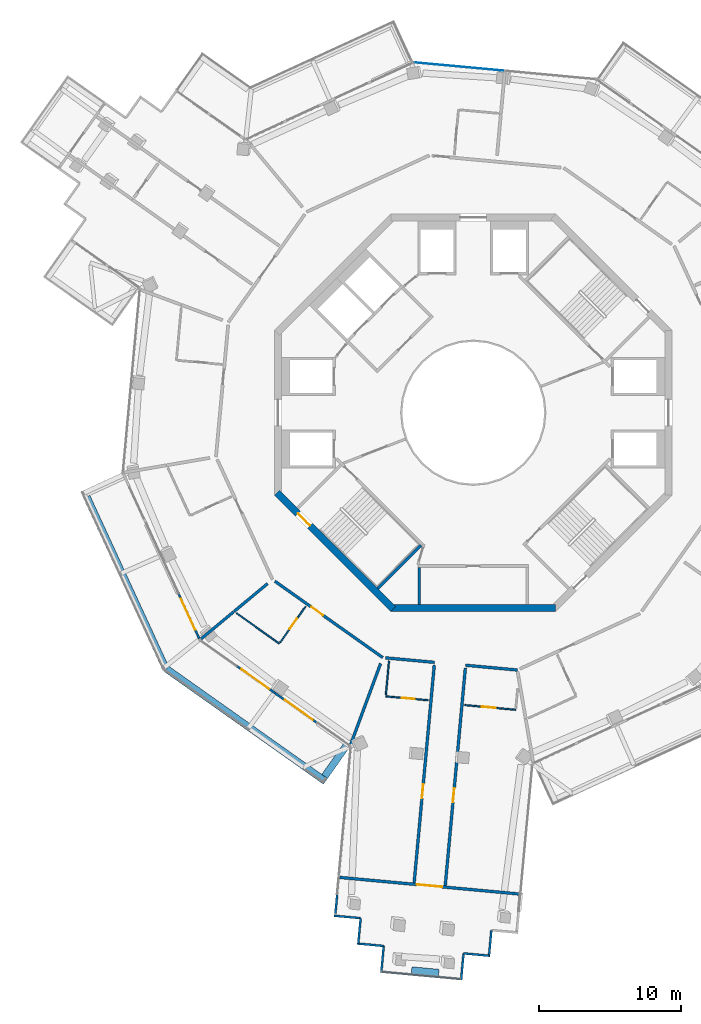
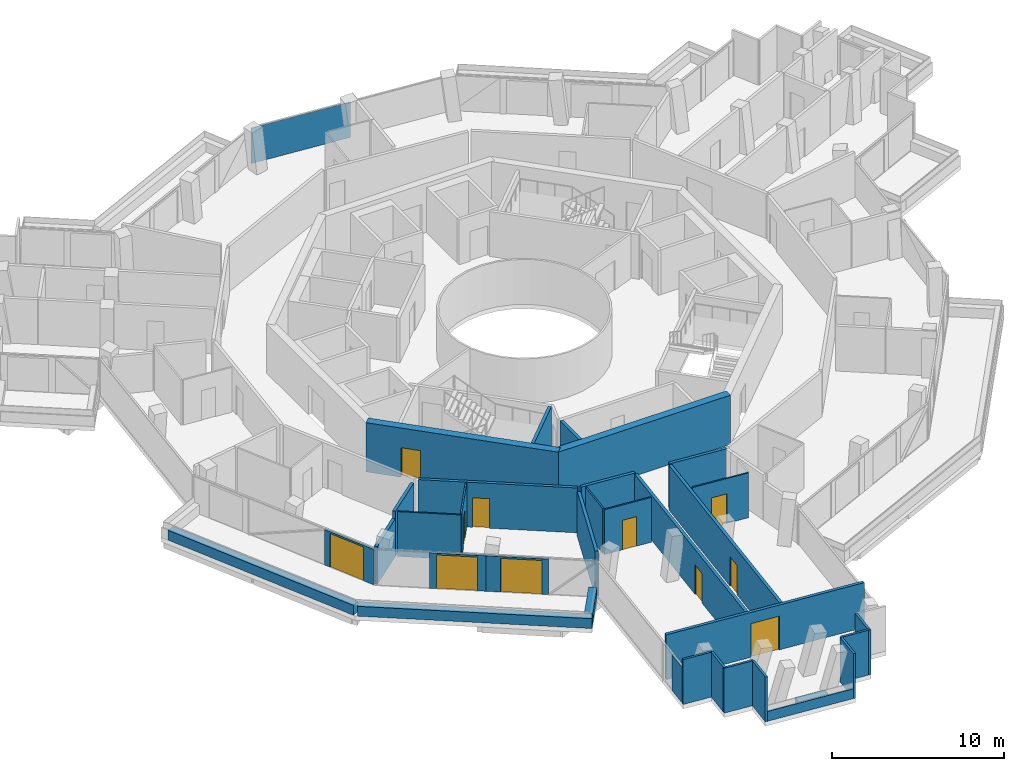
# One storey, part 15 of 23: 34 walls, 11 doors, 1 plate, 11 openings, 1 element without a shape of its own.
"""IFC4 building model written with IfcOpenShell, lengths in metres."""

from ifc_helpers import new_model, si_unit, direction, frame, frame_2d, origin, origin_2d, place, context, subcontext, project, spatial, rectangle, extrude, material, layer, layer_set, type_object, element, fill, aggregate, save


model = new_model("IFC4")

# Units and contexts
model_context = context("Model", 3, precision=1e-05, world=origin(), true_north=direction((0.0, 1.0)))
body_context = subcontext(model_context, "Body", "Model", "MODEL_VIEW")
ifc_project = project(units=[si_unit("LENGTHUNIT", "METRE"), si_unit("AREAUNIT", "SQUARE_METRE"), si_unit("VOLUMEUNIT", "CUBIC_METRE"), si_unit("PLANEANGLEUNIT", "RADIAN"), si_unit("MASSUNIT", "GRAM", prefix="KILO")], contexts=[model_context])

# Site, building, storey
site_placement = place(None, origin())
site = spatial("IfcSite", under=ifc_project, at=site_placement, CompositionType="ELEMENT")
building_placement = place(site_placement, origin())
building = spatial("IfcBuilding", under=site, at=building_placement, Name="Verdalira Terraces Hotel", CompositionType="ELEMENT")
storey_placement = place(building_placement, frame((0.0, 0.0, 256.0)))
storey = spatial("IfcBuildingStorey", under=building, at=storey_placement, Name="L63", CompositionType="ELEMENT", Elevation=256.0)

# Curtain wall, plate
ifc_material_1 = material(Name="Clear glass", Category="glass")
ifc_layer_1 = layer(ifc_material_1, 0.14990234375)
ifc_layer_set_1 = layer_set([ifc_layer_1], Name="CW1 curtain wall")
curtain_wall_type = type_object("IfcCurtainWallType", Name="CW1 curtain wall", PredefinedType="NOTDEFINED", material=ifc_layer_set_1)
curtain_wall_placement = place(storey_placement, origin())
curtain_wall = element("IfcCurtainWall", 1, at=curtain_wall_placement, inside=storey, type_object=curtain_wall_type, Name="CW1 curtain wall L63 edge 40", PredefinedType="NOTDEFINED")
ifc_material_2 = material(Name="Clear glass", Category="glass")
ifc_layer_2 = layer(ifc_material_2, 0.028076171875)
ifc_layer_set_2 = layer_set([ifc_layer_2], Name="CW1 glass unit 28")
plate_type = type_object("IfcPlateType", Name="CW1 glass unit 28", PredefinedType="CURTAIN_PANEL", material=ifc_layer_set_2)
plate_placement = place(storey_placement, frame((-0.97583, 24.376465, 0.0), z_axis=(0.0, 0.0, 1.0), x_axis=(-0.995756881, 0.092023008, 0.0)))
plate = element("IfcPlate", 2, at=plate_placement, type_object=plate_type, Name="CW1 glass unit", PredefinedType="CURTAIN_PANEL", context=body_context, shape_type="SweptSolid", body=[
    extrude(rectangle(XDim=6.369873, YDim=0.028076, at=origin_2d()), origin(), (0.0, 0.0, 1.0), 2.524902),
])
aggregate(curtain_wall, [plate])

# Walls
ifc_material_3 = material(Name="Concrete C40", Category="concrete")
ifc_layer_3 = layer(ifc_material_3, 0.5)
ifc_layer_set_3 = layer_set([ifc_layer_3], Name="Balcony planter trough with tree")
wall_type_1 = type_object("IfcWallType", Name="Balcony planter trough with tree", PredefinedType="SOLIDWALL", material=ifc_layer_set_3)
wall_1_placement = place(storey_placement, frame((-27.224121, -5.927979, 0.0), z_axis=(0.0, 0.0, 1.0), x_axis=(0.418179878, -0.908364238, 0.0)))
element("IfcWall", 3, at=wall_1_placement, inside=storey, type_object=wall_type_1, Name="Balcony planter", PredefinedType="SOLIDWALL", context=body_context, shape_type="SweptSolid", body=[
    extrude(rectangle(XDim=13.223389, YDim=0.5, at=frame_2d((6.611816, 0.0))), origin(), (0.0, 0.0, 1.0), 0.699951),
])
wall_2_placement = place(storey_placement, frame((-21.611572, -18.039062, 0.0), z_axis=(0.0, 0.0, 1.0), x_axis=(0.816337283, -0.577575484, 0.0)))
element("IfcWall", 4, at=wall_2_placement, inside=storey, type_object=wall_type_1, Name="Balcony planter", PredefinedType="SOLIDWALL", context=body_context, shape_type="SweptSolid", body=[
    extrude(rectangle(XDim=13.723389, YDim=0.5, at=frame_2d((6.861816, 0.0))), origin(), (0.0, 0.0, 1.0), 0.699951),
])
wall_3_placement = place(storey_placement, frame((-10.468262, -25.616943, 0.0), z_axis=(0.0, 0.0, 1.0), x_axis=(0.577552948, 0.816353227, 0.0)))
element("IfcWall", 5, at=wall_3_placement, inside=storey, type_object=wall_type_1, Name="Balcony planter", PredefinedType="SOLIDWALL", context=body_context, shape_type="SweptSolid", body=[
    extrude(rectangle(XDim=2.698975, YDim=0.5, at=frame_2d((1.349609, 0.0))), origin(), (0.0, 0.0, 1.0), 0.699951),
])
ifc_material_4 = material(Name="Moisture-resistant gypsum board partition")
ifc_layer_4 = layer(ifc_material_4, 0.10009765625)
ifc_layer_set_4 = layer_set([ifc_layer_4], Name="Bathroom partition 100 mm")
wall_type_2 = type_object("IfcWallType", Name="Bathroom partition 100 mm", PredefinedType="PARTITIONING", material=ifc_layer_set_4)
wall_4_placement = place(storey_placement, frame((-13.656006, -16.256836, 0.0), z_axis=(0.0, 0.0, 1.0), x_axis=(-0.816326196, 0.577591155, 0.0)))
element("IfcWall", 6, at=wall_4_placement, inside=storey, type_object=wall_type_2, Name="Bathroom partition", PredefinedType="PARTITIONING", context=body_context, shape_type="SweptSolid", body=[
    extrude(rectangle(XDim=3.704102, YDim=0.100098, at=frame_2d((1.852051, 0.0))), origin(), (0.0, 0.0, 1.0), 3.189941),
])

# Wall, opening, door
wall_5_placement = place(storey_placement, frame((-13.598145, -16.175293, 0.0), z_axis=(0.0, 0.0, 1.0), x_axis=(0.577567137, 0.816343189, 0.0)))
wall_5 = element("IfcWall", 7, at=wall_5_placement, inside=storey, type_object=wall_type_2, Name="Bathroom partition", PredefinedType="PARTITIONING", context=body_context, shape_type="SweptSolid", body=[
    extrude(rectangle(XDim=3.100098, YDim=0.100098, at=frame_2d((1.550049, 0.0))), origin(), (0.0, 0.0, 1.0), 3.189941),
])
opening_1_placement = place(wall_5_placement, frame((1.149902, 0.0, 0.0)))
opening_1 = element("IfcOpeningElement", 8, at=opening_1_placement, cuts=wall_5, Name="Opening L63-110", PredefinedType="OPENING", context=body_context, shape_type="SweptSolid", body=[
    extrude(rectangle(XDim=0.899902, YDim=2.100098, at=frame_2d((0.449951, 1.050049))), frame((0.0, 0.060059, 0.0), z_axis=(0.0, -1.0, 0.0), x_axis=(1.0, 0.0, 0.0)), (0.0, 0.0, 1.0), 0.120117),
])
ifc_material_5 = material(Name="Timber door", Category="wood")
door_type_1 = type_object("IfcDoorType", Name="Bathroom door 900 x 2100", OperationType="NOTDEFINED", PredefinedType="DOOR", material=ifc_material_5)
door_1_placement = place(opening_1_placement, origin())
door_1 = element("IfcDoor", 9, at=door_1_placement, inside=storey, type_object=door_type_1, Name="Bathroom door 6304", OperationType="SINGLE_SWING_LEFT", OverallHeight=2.10009765625, OverallWidth=0.89990234375, PredefinedType="DOOR", context=body_context, shape_type="SweptSolid", body=[
    extrude(rectangle(XDim=0.899902, YDim=2.100098, at=frame_2d((0.449951, 1.050049))), frame((0.0, 0.024902, 0.0), z_axis=(0.0, -1.0, 0.0), x_axis=(1.0, 0.0, 0.0)), (0.0, 0.0, 1.0), 0.050049),
])
fill(opening_1, door_1)

# Wall
wall_6_placement = place(storey_placement, frame((-6.155273, -19.876221, 0.0), z_axis=(0.0, 0.0, 1.0), x_axis=(0.09205813, 0.995753634, 0.0)))
element("IfcWall", 10, at=wall_6_placement, inside=storey, type_object=wall_type_2, Name="Bathroom partition", PredefinedType="PARTITIONING", context=body_context, shape_type="SweptSolid", body=[
    extrude(rectangle(XDim=2.400146, YDim=0.100098, at=frame_2d((1.200195, 0.0))), origin(), (0.0, 0.0, 1.0), 3.189941),
])

# Wall, opening, door
wall_7_placement = place(storey_placement, frame((-6.164307, -19.97583, 0.0), z_axis=(0.0, 0.0, 1.0), x_axis=(0.995755327, -0.092039823, 0.0)))
wall_7 = element("IfcWall", 11, at=wall_7_placement, inside=storey, type_object=wall_type_2, Name="Bathroom partition", PredefinedType="PARTITIONING", context=body_context, shape_type="SweptSolid", body=[
    extrude(rectangle(XDim=3.0, YDim=0.100098, at=frame_2d((1.5, 0.0))), origin(), (0.0, 0.0, 1.0), 3.189941),
])
opening_2_placement = place(wall_7_placement, frame((1.149902, 0.0, 0.0)))
opening_2 = element("IfcOpeningElement", 12, at=opening_2_placement, cuts=wall_7, Name="Opening L63-112", PredefinedType="OPENING", context=body_context, shape_type="SweptSolid", body=[
    extrude(rectangle(XDim=0.899902, YDim=2.100098, at=frame_2d((0.449951, 1.050049))), frame((0.0, 0.060059, 0.0), z_axis=(0.0, -1.0, 0.0), x_axis=(1.0, 0.0, 0.0)), (0.0, 0.0, 1.0), 0.120117),
])
door_2_placement = place(opening_2_placement, origin())
door_2 = element("IfcDoor", 13, at=door_2_placement, inside=storey, type_object=door_type_1, Name="Bathroom door 6305", OperationType="SINGLE_SWING_LEFT", OverallHeight=2.10009765625, OverallWidth=0.89990234375, PredefinedType="DOOR", context=body_context, shape_type="SweptSolid", body=[
    extrude(rectangle(XDim=0.899902, YDim=2.100098, at=frame_2d((0.449951, 1.050049))), frame((0.0, 0.024902, 0.0), z_axis=(0.0, -1.0, 0.0), x_axis=(1.0, 0.0, 0.0)), (0.0, 0.0, 1.0), 0.050049),
])
fill(opening_2, door_2)

wall_8_placement = place(storey_placement, frame((-0.597412, -20.59082, 0.0), z_axis=(0.0, 0.0, 1.0), x_axis=(0.995756455, -0.092027618, 0.0)))
wall_8 = element("IfcWall", 14, at=wall_8_placement, inside=storey, type_object=wall_type_2, Name="Bathroom partition", PredefinedType="PARTITIONING", context=body_context, shape_type="SweptSolid", body=[
    extrude(rectangle(XDim=3.600098, YDim=0.100098, at=frame_2d((1.800049, 0.0))), origin(), (0.0, 0.0, 1.0), 3.189941),
])
opening_3_placement = place(wall_8_placement, frame((1.199951, 0.0, 0.0)))
opening_3 = element("IfcOpeningElement", 15, at=opening_3_placement, cuts=wall_8, Name="Opening L63-114", PredefinedType="OPENING", context=body_context, shape_type="SweptSolid", body=[
    extrude(rectangle(XDim=1.0, YDim=2.100098, at=frame_2d((0.5, 1.050049))), frame((0.0, 0.060059, 0.0), z_axis=(0.0, -1.0, 0.0), x_axis=(1.0, 0.0, 0.0)), (0.0, 0.0, 1.0), 0.120117),
])
ifc_material_6 = material(Name="Timber door", Category="wood")
door_type_2 = type_object("IfcDoorType", Name="Bathroom door 1000 x 2100", OperationType="NOTDEFINED", PredefinedType="DOOR", material=ifc_material_6)
door_3_placement = place(opening_3_placement, origin())
door_3 = element("IfcDoor", 16, at=door_3_placement, inside=storey, type_object=door_type_2, Name="Bathroom door 6306", OperationType="SINGLE_SWING_RIGHT", OverallHeight=2.10009765625, OverallWidth=1.0, PredefinedType="DOOR", context=body_context, shape_type="SweptSolid", body=[
    extrude(rectangle(XDim=1.0, YDim=2.100098, at=frame_2d((0.5, 1.050049))), frame((0.0, 0.024902, 0.0), z_axis=(0.0, -1.0, 0.0), x_axis=(1.0, 0.0, 0.0)), (0.0, 0.0, 1.0), 0.050049),
])
fill(opening_3, door_3)

# Walls
ifc_material_7 = material(Name="Concrete C50", Category="concrete")
ifc_layer_5 = layer(ifc_material_7, 0.199951171875)
ifc_layer_set_5 = layer_set([ifc_layer_5], Name="Core RC wall 200 C50")
wall_type_3 = type_object("IfcWallType", Name="Core RC wall 200 C50", PredefinedType="SOLIDWALL", material=ifc_layer_set_5)
wall_9_placement = place(storey_placement, frame((-3.800049, -10.899902, 0.0), z_axis=(0.0, 0.0, 1.0), x_axis=(0.0, -1.0, 0.0)))
element("IfcWall", 17, at=wall_9_placement, inside=storey, type_object=wall_type_3, Name="L63 store side wall", PredefinedType="SOLIDWALL", context=body_context, shape_type="SweptSolid", body=[
    extrude(rectangle(XDim=2.600098, YDim=0.199951, at=frame_2d((1.300049, 0.0))), origin(), (0.0, 0.0, 1.0), 3.189941),
])
wall_10_placement = place(storey_placement, frame((-3.677002, -9.33374, 0.0), z_axis=(0.0, 0.0, 1.0), x_axis=(-0.707078393, -0.707135168, 0.0)))
element("IfcWall", 18, at=wall_10_placement, inside=storey, type_object=wall_type_3, Name="L63 stair ST2 end wall 2", PredefinedType="SOLIDWALL", context=body_context, shape_type="SweptSolid", body=[
    extrude(rectangle(XDim=4.300049, YDim=0.199951, at=frame_2d((2.149902, 0.0))), origin(), (0.0, 0.0, 1.0), 3.189941),
])

# Wall, opening, door
ifc_material_8 = material(Name="Concrete C50", Category="concrete")
ifc_layer_6 = layer(ifc_material_8, 0.5)
ifc_layer_set_6 = layer_set([ifc_layer_6], Name="Core wall 500 C50")
wall_type_4 = type_object("IfcWallType", Name="Core wall 500 C50", PredefinedType="SHEAR", material=ifc_layer_set_6)
wall_11_placement = place(storey_placement, frame((-13.823242, -5.622314, 0.0), z_axis=(0.0, 0.0, 1.0), x_axis=(0.707106781, -0.707106781, 0.0)))
wall_11 = element("IfcWall", 19, at=wall_11_placement, inside=storey, type_object=wall_type_4, Name="Core wall CW-L63-6", PredefinedType="SHEAR", context=body_context, shape_type="SweptSolid", body=[
    extrude(rectangle(XDim=11.5979, YDim=0.5, at=frame_2d((5.798828, 0.0))), origin(), (0.0, 0.0, 1.0), 3.5),
])
opening_4_placement = place(wall_11_placement, frame((2.099121, 0.0, 0.0)))
opening_4 = element("IfcOpeningElement", 20, at=opening_4_placement, cuts=wall_11, Name="Opening L63-817", PredefinedType="OPENING", context=body_context, shape_type="SweptSolid", body=[
    extrude(rectangle(XDim=1.199951, YDim=2.100098, at=frame_2d((0.600098, 1.050049))), frame((0.0, 0.26001, 0.0), z_axis=(0.0, -1.0, 0.0), x_axis=(1.0, 0.0, 0.0)), (0.0, 0.0, 1.0), 0.52002),
])
ifc_material_9 = material(Name="Steel fire door", Category="steel")
door_type_3 = type_object("IfcDoorType", Name="Stair door 1200 x 2100", OperationType="NOTDEFINED", PredefinedType="DOOR", material=ifc_material_9)
door_4_placement = place(opening_4_placement, origin())
door_4 = element("IfcDoor", 21, at=door_4_placement, inside=storey, type_object=door_type_3, Name="Stair exit door ST2 L63", OperationType="SINGLE_SWING_LEFT", OverallHeight=2.10009765625, OverallWidth=1.199951171875, PredefinedType="DOOR", context=body_context, shape_type="SweptSolid", body=[
    extrude(rectangle(XDim=1.199951, YDim=2.100098, at=frame_2d((0.600098, 1.050049))), frame((0.0, 0.024902, 0.0), z_axis=(0.0, -1.0, 0.0), x_axis=(1.0, 0.0, 0.0)), (0.0, 0.0, 1.0), 0.050049),
])
fill(opening_4, door_4)

# Walls
wall_12_placement = place(storey_placement, frame((-5.799072, -13.75, 0.0), z_axis=(0.0, 0.0, 1.0), x_axis=(1.0, 0.0, 0.0)))
element("IfcWall", 22, at=wall_12_placement, inside=storey, type_object=wall_type_4, Name="Core wall CW-L63-7", PredefinedType="SHEAR", context=body_context, shape_type="SweptSolid", body=[
    extrude(rectangle(XDim=11.598145, YDim=0.5, at=frame_2d((5.799072, 0.0))), origin(), (0.0, 0.0, 1.0), 3.5),
])
ifc_material_10 = material(Name="Fire-rated gypsum board wall")
ifc_layer_7 = layer(ifc_material_10, 0.199951171875)
ifc_layer_set_7 = layer_set([ifc_layer_7], Name="Demising wall 200 mm")
wall_type_5 = type_object("IfcWallType", Name="Demising wall 200 mm", PredefinedType="SOLIDWALL", material=ifc_layer_set_7)
wall_13_placement = place(storey_placement, frame((-14.485107, -12.034424, 0.0), z_axis=(0.0, 0.0, 1.0), x_axis=(-0.769177163, -0.639035595, 0.0)))
element("IfcWall", 23, at=wall_13_placement, inside=storey, type_object=wall_type_5, Name="Demising wall", PredefinedType="SOLIDWALL", context=body_context, shape_type="SweptSolid", body=[
    extrude(rectangle(XDim=3.074707, YDim=0.199951, at=frame_2d((1.537354, 0.0))), origin(), (0.0, 0.0, 1.0), 3.189941),
])
wall_14_placement = place(storey_placement, frame((-6.527344, -17.664551, 0.0), z_axis=(0.0, 0.0, 1.0), x_axis=(-0.346581603, -0.938019825, 0.0)))
element("IfcWall", 24, at=wall_14_placement, inside=storey, type_object=wall_type_5, Name="Demising wall", PredefinedType="SOLIDWALL", context=body_context, shape_type="SweptSolid", body=[
    extrude(rectangle(XDim=6.13208, YDim=0.199951, at=frame_2d((3.065918, 0.0))), origin(), (0.0, 0.0, 1.0), 3.189941),
])
ifc_material_11 = material(Name="Fire-rated gypsum board wall")
ifc_layer_8 = layer(ifc_material_11, 0.199951171875)
ifc_layer_set_8 = layer_set([ifc_layer_8], Name="Demising wall 200 mm to beam soffit")
wall_type_6 = type_object("IfcWallType", Name="Demising wall 200 mm to beam soffit", PredefinedType="SOLIDWALL", material=ifc_layer_set_8)
wall_15_placement = place(storey_placement, frame((-16.885498, -14.028564, 0.0), z_axis=(0.0, 0.0, 1.0), x_axis=(-0.769170754, -0.63904331, 0.0)))
element("IfcWall", 25, at=wall_15_placement, inside=storey, type_object=wall_type_6, Name="Demising wall", PredefinedType="SOLIDWALL", context=body_context, shape_type="SweptSolid", body=[
    extrude(rectangle(XDim=3.01123, YDim=0.199951, at=frame_2d((1.505615, 0.0))), origin(), (0.0, 0.0, 1.0), 2.689941),
])

# Wall, opening, door
ifc_material_12 = material(Name="Fire-rated gypsum board wall")
ifc_layer_9 = layer(ifc_material_12, 0.199951171875)
ifc_layer_set_9 = layer_set([ifc_layer_9], Name="Guest corridor wall 200 mm")
wall_type_7 = type_object("IfcWallType", Name="Guest corridor wall 200 mm", PredefinedType="SOLIDWALL", material=ifc_layer_set_9)
wall_16_placement = place(storey_placement, frame((-6.372314, -17.245117, 0.0), z_axis=(0.0, 0.0, 1.0), x_axis=(-0.81633337, 0.577581016, 0.0)))
wall_16 = element("IfcWall", 26, at=wall_16_placement, inside=storey, type_object=wall_type_7, Name="Guest corridor wall", PredefinedType="SOLIDWALL", context=body_context, shape_type="SweptSolid", body=[
    extrude(rectangle(XDim=9.31665, YDim=0.199951, at=frame_2d((4.658203, 0.0))), origin(), (0.0, 0.0, 1.0), 3.189941),
])
opening_5_placement = place(wall_16_placement, frame((5.149902, 0.0, 0.0)))
opening_5 = element("IfcOpeningElement", 27, at=opening_5_placement, cuts=wall_16, Name="Opening L63-109", PredefinedType="OPENING", context=body_context, shape_type="SweptSolid", body=[
    extrude(rectangle(XDim=1.0, YDim=2.100098, at=frame_2d((0.5, 1.050049))), frame((0.0, 0.109863, 0.0), z_axis=(0.0, -1.0, 0.0), x_axis=(1.0, 0.0, 0.0)), (0.0, 0.0, 1.0), 0.219971),
])
ifc_material_13 = material(Name="Timber fire door", Category="wood")
door_type_4 = type_object("IfcDoorType", Name="Guest entry door 1000 x 2100", OperationType="NOTDEFINED", PredefinedType="DOOR", material=ifc_material_13)
door_5_placement = place(opening_5_placement, origin())
door_5 = element("IfcDoor", 28, at=door_5_placement, inside=storey, type_object=door_type_4, Name="Guest entry door 6304", OperationType="SINGLE_SWING_LEFT", OverallHeight=2.10009765625, OverallWidth=1.0, PredefinedType="DOOR", context=body_context, shape_type="SweptSolid", body=[
    extrude(rectangle(XDim=1.0, YDim=2.100098, at=frame_2d((0.5, 1.050049))), frame((0.0, 0.024902, 0.0), z_axis=(0.0, -1.0, 0.0), x_axis=(1.0, 0.0, 0.0)), (0.0, 0.0, 1.0), 0.050049),
])
fill(opening_5, door_5)

# Wall
wall_17_placement = place(storey_placement, frame((-6.173096, -17.263428, 0.0), z_axis=(0.0, 0.0, 1.0), x_axis=(0.995753746, -0.092056922, 0.0)))
element("IfcWall", 29, at=wall_17_placement, inside=storey, type_object=wall_type_7, Name="Guest corridor wall", PredefinedType="SOLIDWALL", context=body_context, shape_type="SweptSolid", body=[
    extrude(rectangle(XDim=3.458252, YDim=0.199951, at=frame_2d((1.729004, 0.0))), origin(), (0.0, 0.0, 1.0), 3.189941),
])

# Wall, opening, door
wall_18_placement = place(storey_placement, frame((-4.166504, -33.131348, 0.0), z_axis=(0.0, 0.0, 1.0), x_axis=(0.092029262, 0.995756303, 0.0)))
wall_18 = element("IfcWall", 30, at=wall_18_placement, inside=storey, type_object=wall_type_7, Name="Guest corridor wall", PredefinedType="SOLIDWALL", context=body_context, shape_type="SweptSolid", body=[
    extrude(rectangle(XDim=15.415771, YDim=0.199951, at=frame_2d((7.708008, 0.0))), origin(), (0.0, 0.0, 1.0), 3.189941),
])
opening_6_placement = place(wall_18_placement, frame((6.0, 0.0, 0.0)))
opening_6 = element("IfcOpeningElement", 31, at=opening_6_placement, cuts=wall_18, Name="Opening L63-111", PredefinedType="OPENING", context=body_context, shape_type="SweptSolid", body=[
    extrude(rectangle(XDim=1.0, YDim=2.100098, at=frame_2d((0.5, 1.050049))), frame((0.0, 0.109863, 0.0), z_axis=(0.0, -1.0, 0.0), x_axis=(1.0, 0.0, 0.0)), (0.0, 0.0, 1.0), 0.219971),
])
door_6_placement = place(opening_6_placement, origin())
door_6 = element("IfcDoor", 32, at=door_6_placement, inside=storey, type_object=door_type_4, Name="Guest entry door 6305", OperationType="SINGLE_SWING_LEFT", OverallHeight=2.10009765625, OverallWidth=1.0, PredefinedType="DOOR", context=body_context, shape_type="SweptSolid", body=[
    extrude(rectangle(XDim=1.0, YDim=2.100098, at=frame_2d((0.5, 1.050049))), frame((0.0, 0.024902, 0.0), z_axis=(0.0, -1.0, 0.0), x_axis=(1.0, 0.0, 0.0)), (0.0, 0.0, 1.0), 0.050049),
])
fill(opening_6, door_6)

wall_19_placement = place(storey_placement, frame((-0.557129, -17.983398, 0.0), z_axis=(0.0, 0.0, 1.0), x_axis=(-0.092029262, -0.995756303, 0.0)))
wall_19 = element("IfcWall", 33, at=wall_19_placement, inside=storey, type_object=wall_type_7, Name="Guest corridor wall", PredefinedType="SOLIDWALL", context=body_context, shape_type="SweptSolid", body=[
    extrude(rectangle(XDim=15.415771, YDim=0.199951, at=frame_2d((7.708008, 0.0))), origin(), (0.0, 0.0, 1.0), 3.189941),
])
opening_7_placement = place(wall_19_placement, frame((8.5, 0.0, 0.0)))
opening_7 = element("IfcOpeningElement", 34, at=opening_7_placement, cuts=wall_19, Name="Opening L63-113", PredefinedType="OPENING", context=body_context, shape_type="SweptSolid", body=[
    extrude(rectangle(XDim=1.0, YDim=2.100098, at=frame_2d((0.5, 1.050049))), frame((0.0, 0.109863, 0.0), z_axis=(0.0, -1.0, 0.0), x_axis=(1.0, 0.0, 0.0)), (0.0, 0.0, 1.0), 0.219971),
])
door_7_placement = place(opening_7_placement, origin())
door_7 = element("IfcDoor", 35, at=door_7_placement, inside=storey, type_object=door_type_4, Name="Guest entry door 6306", OperationType="SINGLE_SWING_RIGHT", OverallHeight=2.10009765625, OverallWidth=1.0, PredefinedType="DOOR", context=body_context, shape_type="SweptSolid", body=[
    extrude(rectangle(XDim=1.0, YDim=2.100098, at=frame_2d((0.5, 1.050049))), frame((0.0, 0.024902, 0.0), z_axis=(0.0, -1.0, 0.0), x_axis=(1.0, 0.0, 0.0)), (0.0, 0.0, 1.0), 0.050049),
])
fill(opening_7, door_7)

# Wall
wall_20_placement = place(storey_placement, frame((-0.538818, -17.78418, 0.0), z_axis=(0.0, 0.0, 1.0), x_axis=(0.99575643, -0.092027888, 0.0)))
element("IfcWall", 36, at=wall_20_placement, inside=storey, type_object=wall_type_7, Name="Guest corridor wall", PredefinedType="SOLIDWALL", context=body_context, shape_type="SweptSolid", body=[
    extrude(rectangle(XDim=3.658447, YDim=0.199951, at=frame_2d((1.829102, 0.0))), origin(), (0.0, 0.0, 1.0), 3.189941),
])

# Wall, opening, door
ifc_material_14 = material(Name="Terracotta cladding", Category="masonry")
ifc_layer_10 = layer(ifc_material_14, 0.199951171875)
ifc_layer_set_10 = layer_set([ifc_layer_10], Name="Loggia back wall 200")
wall_type_8 = type_object("IfcWallType", Name="Loggia back wall 200", PredefinedType="SOLIDWALL", material=ifc_layer_set_10)
wall_21_placement = place(storey_placement, frame((3.244629, -33.896484, 0.0), z_axis=(0.0, 0.0, 1.0), x_axis=(-0.995756901, 0.092022786, 0.0)))
wall_21 = element("IfcWall", 37, at=wall_21_placement, inside=storey, type_object=wall_type_8, Name="Loggia back wall", PredefinedType="SOLIDWALL", context=body_context, shape_type="SweptSolid", body=[
    extrude(rectangle(XDim=12.700195, YDim=0.199951, at=frame_2d((6.350098, 0.0))), origin(), (0.0, 0.0, 1.0), 3.189941),
])
opening_8_placement = place(wall_21_placement, frame((5.449951, 0.0, 0.0)))
opening_8 = element("IfcOpeningElement", 38, at=opening_8_placement, cuts=wall_21, Name="Opening L63-L01", PredefinedType="OPENING", context=body_context, shape_type="SweptSolid", body=[
    extrude(rectangle(XDim=1.800049, YDim=2.399902, at=frame_2d((0.899902, 1.199951))), frame((0.0, 0.109863, 0.0), z_axis=(0.0, -1.0, 0.0), x_axis=(1.0, 0.0, 0.0)), (0.0, 0.0, 1.0), 0.219971),
])
ifc_material_15 = material(Name="Clear glass", Category="glass")
door_type_5 = type_object("IfcDoorType", Name="Garden double door 1800x2400", OperationType="NOTDEFINED", PredefinedType="DOOR", material=ifc_material_15)
door_8_placement = place(opening_8_placement, origin())
door_8 = element("IfcDoor", 39, at=door_8_placement, inside=storey, type_object=door_type_5, Name="Loggia double door", OperationType="DOUBLE_DOOR_SINGLE_SWING", OverallHeight=2.39990234375, OverallWidth=1.800048828125, PredefinedType="DOOR", context=body_context, shape_type="SweptSolid", body=[
    extrude(rectangle(XDim=1.800049, YDim=2.399902, at=frame_2d((0.899902, 1.199951))), frame((0.0, 0.024902, 0.0), z_axis=(0.0, -1.0, 0.0), x_axis=(1.0, 0.0, 0.0)), (0.0, 0.0, 1.0), 0.050049),
])
fill(opening_8, door_8)

# Walls
ifc_material_16 = material(Name="Concrete C40", Category="concrete")
ifc_layer_11 = layer(ifc_material_16, 0.5)
ifc_layer_set_11 = layer_set([ifc_layer_11], Name="Loggia planter trough with tree")
wall_type_9 = type_object("IfcWallType", Name="Loggia planter trough with tree", PredefinedType="SOLIDWALL", material=ifc_layer_set_11)
wall_22_placement = place(storey_placement, frame((-4.343262, -39.270996, 0.0), z_axis=(0.0, 0.0, 1.0), x_axis=(0.995757726, -0.09201386, 0.0)))
element("IfcWall", 40, at=wall_22_placement, inside=storey, type_object=wall_type_9, Name="Loggia planter", PredefinedType="SOLIDWALL", context=body_context, shape_type="SweptSolid", body=[
    extrude(rectangle(XDim=1.920898, YDim=0.5, at=frame_2d((0.960449, 0.0))), origin(), (0.0, 0.0, 1.0), 0.699951),
])
ifc_material_17 = material(Name="Concrete C40", Category="concrete")
ifc_layer_12 = layer(ifc_material_17, 0.10009765625)
ifc_layer_set_12 = layer_set([ifc_layer_12], Name="Loggia upstand 100")
wall_type_10 = type_object("IfcWallType", Name="Loggia upstand 100", PredefinedType="SOLIDWALL", material=ifc_layer_set_12)
wall_23_placement = place(storey_placement, frame((-6.401123, -39.38208, 0.0), z_axis=(0.0, 0.0, 1.0), x_axis=(0.99575711, -0.092020528, 0.0)))
element("IfcWall", 41, at=wall_23_placement, inside=storey, type_object=wall_type_10, Name="Loggia upstand", PredefinedType="SOLIDWALL", context=body_context, shape_type="SweptSolid", body=[
    extrude(rectangle(XDim=5.5, YDim=0.100098, at=frame_2d((2.75, 0.0))), origin(), (0.0, 0.0, 1.0), 0.699951),
])
ifc_material_18 = material(Name="Terracotta cladding", Category="masonry")
ifc_layer_13 = layer(ifc_material_18, 0.14990234375)
ifc_layer_set_13 = layer_set([ifc_layer_13], Name="Terracotta clad wall 150")
wall_type_11 = type_object("IfcWallType", Name="Terracotta clad wall 150", PredefinedType="SOLIDWALL", material=ifc_layer_set_13)
wall_24_placement = place(storey_placement, frame((-9.801758, -35.42749, 0.0), z_axis=(0.0, 0.0, 1.0), x_axis=(0.995754387, -0.092049994, 0.0)))
element("IfcWall", 42, at=wall_24_placement, inside=storey, type_object=wall_type_11, Name="Terracotta cladding wall", PredefinedType="SOLIDWALL", context=body_context, shape_type="SweptSolid", body=[
    extrude(rectangle(XDim=1.875244, YDim=0.149902, at=frame_2d((0.9375, 0.0))), origin(), (0.0, 0.0, 1.0), 3.189941),
])
wall_25_placement = place(storey_placement, frame((-7.93457, -35.600098, 0.0), z_axis=(0.0, 0.0, 1.0), x_axis=(-0.092101079, -0.995749663, 0.0)))
element("IfcWall", 43, at=wall_25_placement, inside=storey, type_object=wall_type_11, Name="Terracotta cladding wall", PredefinedType="SOLIDWALL", context=body_context, shape_type="SweptSolid", body=[
    extrude(rectangle(XDim=1.799805, YDim=0.149902, at=frame_2d((0.899902, 0.0))), origin(), (0.0, 0.0, 1.0), 3.189941),
])
wall_26_placement = place(storey_placement, frame((-8.175049, -37.385498, 0.0), z_axis=(0.0, 0.0, 1.0), x_axis=(0.995754387, -0.092049994, 0.0)))
element("IfcWall", 44, at=wall_26_placement, inside=storey, type_object=wall_type_11, Name="Terracotta cladding wall", PredefinedType="SOLIDWALL", context=body_context, shape_type="SweptSolid", body=[
    extrude(rectangle(XDim=1.875244, YDim=0.149902, at=frame_2d((0.9375, 0.0))), origin(), (0.0, 0.0, 1.0), 3.189941),
])
wall_27_placement = place(storey_placement, frame((-6.307861, -37.558105, 0.0), z_axis=(0.0, 0.0, 1.0), x_axis=(-0.092061929, -0.995753283, 0.0)))
element("IfcWall", 45, at=wall_27_placement, inside=storey, type_object=wall_type_11, Name="Terracotta cladding wall", PredefinedType="SOLIDWALL", context=body_context, shape_type="SweptSolid", body=[
    extrude(rectangle(XDim=1.875, YDim=0.149902, at=frame_2d((0.9375, 0.0))), origin(), (0.0, 0.0, 1.0), 3.189941),
])
wall_28_placement = place(storey_placement, frame((-0.854492, -39.945068, 0.0), z_axis=(0.0, 0.0, 1.0), x_axis=(0.092049994, 0.995754387, 0.0)))
element("IfcWall", 46, at=wall_28_placement, inside=storey, type_object=wall_type_11, Name="Terracotta cladding wall", PredefinedType="SOLIDWALL", context=body_context, shape_type="SweptSolid", body=[
    extrude(rectangle(XDim=1.875244, YDim=0.149902, at=frame_2d((0.9375, 0.0))), origin(), (0.0, 0.0, 1.0), 3.189941),
])
wall_29_placement = place(storey_placement, frame((-0.681885, -38.077881, 0.0), z_axis=(0.0, 0.0, 1.0), x_axis=(0.995749663, -0.092101079, 0.0)))
element("IfcWall", 47, at=wall_29_placement, inside=storey, type_object=wall_type_11, Name="Terracotta cladding wall", PredefinedType="SOLIDWALL", context=body_context, shape_type="SweptSolid", body=[
    extrude(rectangle(XDim=1.799805, YDim=0.149902, at=frame_2d((0.899902, 0.0))), origin(), (0.0, 0.0, 1.0), 3.189941),
])
wall_30_placement = place(storey_placement, frame((1.103516, -38.318359, 0.0), z_axis=(0.0, 0.0, 1.0), x_axis=(0.092049994, 0.995754387, 0.0)))
element("IfcWall", 48, at=wall_30_placement, inside=storey, type_object=wall_type_11, Name="Terracotta cladding wall", PredefinedType="SOLIDWALL", context=body_context, shape_type="SweptSolid", body=[
    extrude(rectangle(XDim=1.875244, YDim=0.149902, at=frame_2d((0.9375, 0.0))), origin(), (0.0, 0.0, 1.0), 3.189941),
])
ifc_material_19 = material(Name="Terracotta cladding", Category="masonry")
ifc_layer_14 = layer(ifc_material_19, 0.14990234375)
ifc_layer_set_14 = layer_set([ifc_layer_14], Name="Terracotta column pier 150")
wall_type_12 = type_object("IfcWallType", Name="Terracotta column pier 150", PredefinedType="SOLIDWALL", material=ifc_layer_set_14)
wall_31_placement = place(storey_placement, frame((-9.58667, -33.915771, 0.0), z_axis=(0.0, 0.0, 1.0), x_axis=(-0.091987085, -0.9957602, 0.0)))
element("IfcWall", 49, at=wall_31_placement, inside=storey, type_object=wall_type_12, Name="Terracotta column pier", PredefinedType="SOLIDWALL", context=body_context, shape_type="SweptSolid", body=[
    extrude(rectangle(XDim=1.380127, YDim=0.149902, at=frame_2d((0.689941, 0.0))), origin(), (0.0, 0.0, 1.0), 2.524902),
])

# Wall, opening, door
ifc_material_20 = material(Name="Terracotta cladding", Category="masonry")
ifc_layer_15 = layer(ifc_material_20, 0.14990234375)
ifc_layer_set_15 = layer_set([ifc_layer_15], Name="Terracotta door pier 150")
wall_type_13 = type_object("IfcWallType", Name="Terracotta door pier 150", PredefinedType="SOLIDWALL", material=ifc_layer_set_15)
wall_32_placement = place(storey_placement, frame((-20.756348, -12.743408, 0.0), z_axis=(0.0, 0.0, 1.0), x_axis=(0.418165506, -0.908370855, 0.0)))
wall_32 = element("IfcWall", 50, at=wall_32_placement, inside=storey, type_object=wall_type_13, Name="Terracotta door pier", PredefinedType="SOLIDWALL", context=body_context, shape_type="SweptSolid", body=[
    extrude(rectangle(XDim=3.50415, YDim=0.149902, at=frame_2d((1.751953, 0.0))), origin(), (0.0, 0.0, 1.0), 2.524902),
])
opening_9_placement = place(wall_32_placement, frame((0.399902, 0.0, 0.0)))
opening_9 = element("IfcOpeningElement", 51, at=opening_9_placement, cuts=wall_32, Name="Opening L63-B05", PredefinedType="OPENING", context=body_context, shape_type="SweptSolid", body=[
    extrude(rectangle(XDim=2.399902, YDim=2.399902, at=frame_2d((1.199951, 1.199951))), frame((0.0, 0.084961, 0.0), z_axis=(0.0, -1.0, 0.0), x_axis=(1.0, 0.0, 0.0)), (0.0, 0.0, 1.0), 0.169922),
])
ifc_material_21 = material(Name="Clear glass", Category="glass")
door_type_6 = type_object("IfcDoorType", Name="Balcony sliding door 2400x2400", OperationType="NOTDEFINED", PredefinedType="DOOR", material=ifc_material_21)
door_9_placement = place(opening_9_placement, origin())
door_9 = element("IfcDoor", 52, at=door_9_placement, inside=storey, type_object=door_type_6, Name="Balcony sliding door", OperationType="SLIDING_TO_RIGHT", OverallHeight=2.39990234375, OverallWidth=2.39990234375, PredefinedType="DOOR", context=body_context, shape_type="SweptSolid", body=[
    extrude(rectangle(XDim=2.399902, YDim=2.399902, at=frame_2d((1.199951, 1.199951))), frame((0.0, 0.024902, 0.0), z_axis=(0.0, -1.0, 0.0), x_axis=(1.0, 0.0, 0.0)), (0.0, 0.0, 1.0), 0.050049),
])
fill(opening_9, door_9)

wall_33_placement = place(storey_placement, frame((-16.661621, -17.835693, 0.0), z_axis=(0.0, 0.0, 1.0), x_axis=(0.816354387, -0.577551309, 0.0)))
wall_33 = element("IfcWall", 53, at=wall_33_placement, inside=storey, type_object=wall_type_13, Name="Terracotta door pier", PredefinedType="SOLIDWALL", context=body_context, shape_type="SweptSolid", body=[
    extrude(rectangle(XDim=3.300049, YDim=0.149902, at=frame_2d((1.649902, 0.0))), origin(), (0.0, 0.0, 1.0), 2.524902),
])
opening_10_placement = place(wall_33_placement, frame((0.399902, 0.0, 0.0)))
opening_10 = element("IfcOpeningElement", 54, at=opening_10_placement, cuts=wall_33, Name="Opening L63-B06", PredefinedType="OPENING", context=body_context, shape_type="SweptSolid", body=[
    extrude(rectangle(XDim=2.399902, YDim=2.399902, at=frame_2d((1.199951, 1.199951))), frame((0.0, 0.084961, 0.0), z_axis=(0.0, -1.0, 0.0), x_axis=(1.0, 0.0, 0.0)), (0.0, 0.0, 1.0), 0.169922),
])
door_10_placement = place(opening_10_placement, origin())
door_10 = element("IfcDoor", 55, at=door_10_placement, inside=storey, type_object=door_type_6, Name="Balcony sliding door", OperationType="SLIDING_TO_RIGHT", OverallHeight=2.39990234375, OverallWidth=2.39990234375, PredefinedType="DOOR", context=body_context, shape_type="SweptSolid", body=[
    extrude(rectangle(XDim=2.399902, YDim=2.399902, at=frame_2d((1.199951, 1.199951))), frame((0.0, 0.024902, 0.0), z_axis=(0.0, -1.0, 0.0), x_axis=(1.0, 0.0, 0.0)), (0.0, 0.0, 1.0), 0.050049),
])
fill(opening_10, door_10)

wall_34_placement = place(storey_placement, frame((-13.967529, -19.741699, 0.0), z_axis=(0.0, 0.0, 1.0), x_axis=(0.81632055, -0.577599134, 0.0)))
wall_34 = element("IfcWall", 56, at=wall_34_placement, inside=storey, type_object=wall_type_13, Name="Terracotta door pier", PredefinedType="SOLIDWALL", context=body_context, shape_type="SweptSolid", body=[
    extrude(rectangle(XDim=3.661377, YDim=0.149902, at=frame_2d((1.830566, 0.0))), origin(), (0.0, 0.0, 1.0), 2.524902),
])
opening_11_placement = place(wall_34_placement, frame((0.861328, 0.0, 0.0)))
opening_11 = element("IfcOpeningElement", 57, at=opening_11_placement, cuts=wall_34, Name="Opening L63-B07", PredefinedType="OPENING", context=body_context, shape_type="SweptSolid", body=[
    extrude(rectangle(XDim=2.399902, YDim=2.399902, at=frame_2d((1.199951, 1.199951))), frame((0.0, 0.084961, 0.0), z_axis=(0.0, -1.0, 0.0), x_axis=(1.0, 0.0, 0.0)), (0.0, 0.0, 1.0), 0.169922),
])
door_11_placement = place(opening_11_placement, origin())
door_11 = element("IfcDoor", 58, at=door_11_placement, inside=storey, type_object=door_type_6, Name="Balcony sliding door", OperationType="SLIDING_TO_LEFT", OverallHeight=2.39990234375, OverallWidth=2.39990234375, PredefinedType="DOOR", context=body_context, shape_type="SweptSolid", body=[
    extrude(rectangle(XDim=2.399902, YDim=2.399902, at=frame_2d((1.199951, 1.199951))), frame((0.0, 0.024902, 0.0), z_axis=(0.0, -1.0, 0.0), x_axis=(1.0, 0.0, 0.0)), (0.0, 0.0, 1.0), 0.050049),
])
fill(opening_11, door_11)

save(model, "model.ifc")
